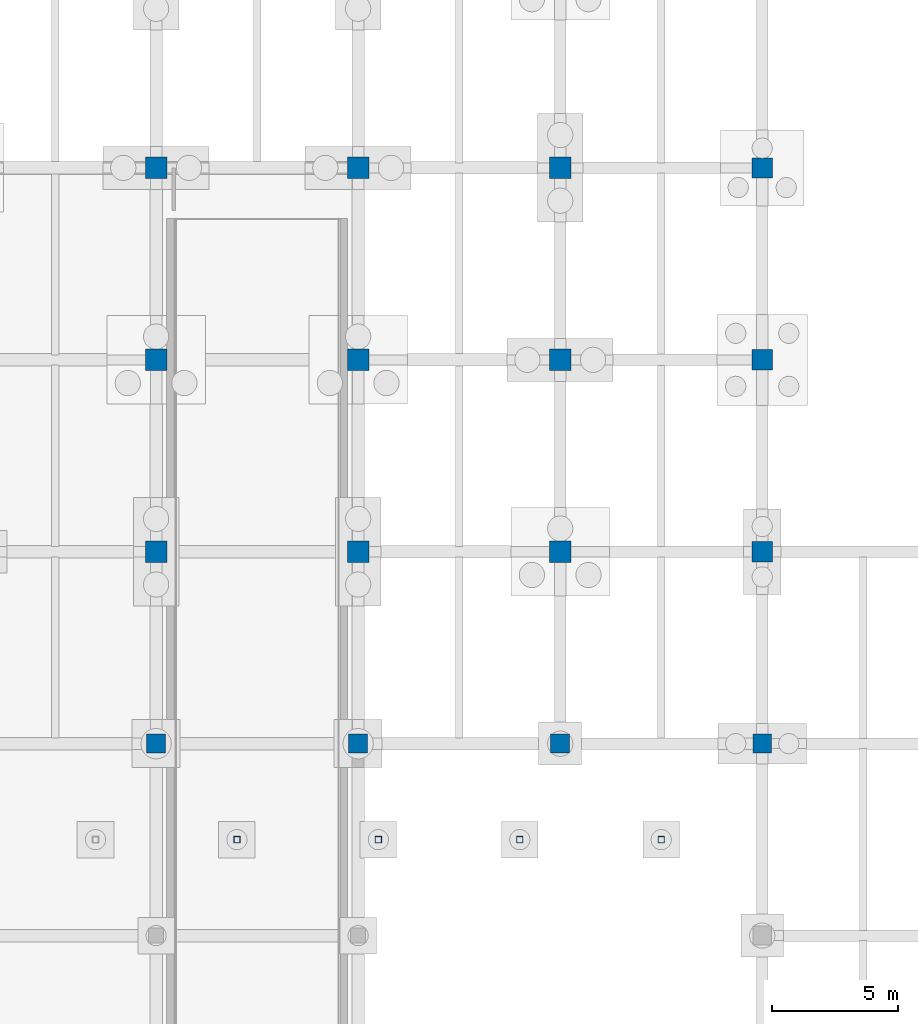
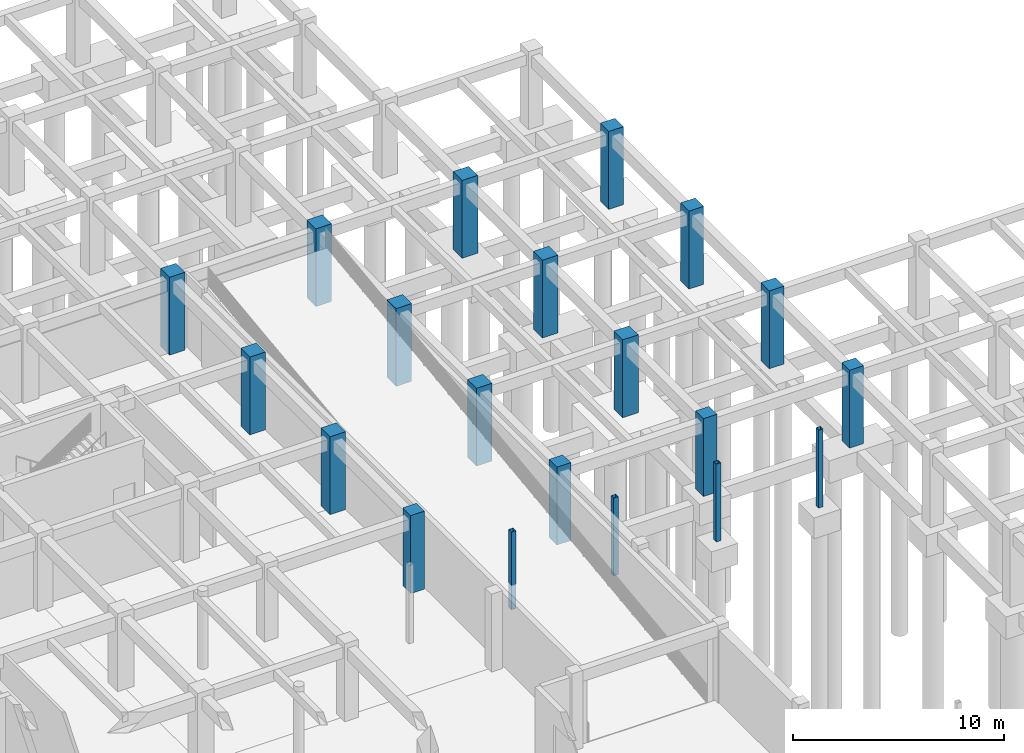
# One storey, part 25 of 49: 20 columns.
"""IFC4 building model written with IfcOpenShell, lengths in metres."""

import ifcopenshell
import ifcopenshell.guid

model = None  # the IFC model being written
_history = None  # IfcOwnerHistory: only IFC2X3 demands one
_inside = {}  # id of a spatial element -> (the spatial element, [elements in it])
_under = {}  # id of a project, library or spatial element -> (it, [spatial elements below it])
_declared = {}  # id of a project -> (the project, [libraries it declares])
_typed = {}  # id of a type object -> (the type object, [elements of that type])
_made_of = {}  # id of a material, layer set ... -> (it, [elements and type objects made of it])


def new_model(schema):
    """Start an empty IFC model of exactly this schema.

    Asked for "IFC4X3", IfcOpenShell would pick the latest addendum, in which some entities
    have other attributes; the version numbers below select the first issue.
    IFC2X3 requires an IfcOwnerHistory on every rooted entity: one is made here for all.
    """
    global model, _history
    if schema == "IFC4X3":
        model = ifcopenshell.file(schema_version=(4, 3, 0, 0))
    else:
        model = ifcopenshell.file(schema=schema)
    _inside.clear()
    _under.clear()
    _declared.clear()
    _typed.clear()
    _made_of.clear()
    _history = None
    if model.schema == "IFC2X3":
        org = make("IfcOrganization", Name="unknown")
        user = make(
            "IfcPersonAndOrganization",
            ThePerson=make("IfcPerson", FamilyName="unknown"),
            TheOrganization=org,
        )
        app = make(
            "IfcApplication",
            ApplicationDeveloper=org,
            Version="unknown",
            ApplicationFullName="unknown",
            ApplicationIdentifier="unknown",
        )
        _history = make(
            "IfcOwnerHistory",
            OwningUser=user,
            OwningApplication=app,
            ChangeAction="ADDED",
            CreationDate=0,
        )
    return model


def make(cls, **values):
    """One entity of the class cls with the attributes given. An attribute that is None is left unset."""
    return model.create_entity(
        cls, **{name: value for name, value in values.items() if value is not None}
    )


def rooted(cls, **values):
    """An entity with a GlobalId (a new one), such as an element, a storey or a relation."""
    return make(cls, GlobalId=ifcopenshell.guid.new(), OwnerHistory=_history, **values)


def si_unit(unit_type, name, prefix=None):
    """IfcSIUnit, for example si_unit("LENGTHUNIT", "METRE", prefix="MILLI")."""
    return make("IfcSIUnit", UnitType=unit_type, Prefix=prefix, Name=name)


def assignment(units):
    """IfcUnitAssignment: the units of a project."""
    return None if units is None else make("IfcUnitAssignment", Units=units)


def point(xyz):
    """IfcCartesianPoint."""
    return None if xyz is None else make("IfcCartesianPoint", Coordinates=xyz)


def direction(xyz):
    """IfcDirection."""
    return None if xyz is None else make("IfcDirection", DirectionRatios=xyz)


def frame(location, z_axis=None, x_axis=None):
    """IfcAxis2Placement3D, a coordinate frame: its origin and axes. An axis left out is left unset."""
    return make(
        "IfcAxis2Placement3D",
        Location=point(location),
        Axis=direction(z_axis),
        RefDirection=direction(x_axis),
    )


def frame_2d(location, x_axis=None):
    """IfcAxis2Placement2D, a coordinate frame in the plane: its origin and x axis."""
    return make(
        "IfcAxis2Placement2D", Location=point(location), RefDirection=direction(x_axis)
    )


def origin():
    """The frame at (0, 0, 0) with its axes left unset."""
    return frame((0.0, 0.0, 0.0))


def origin_2d():
    """The frame at (0, 0) in the plane with its x axis left unset."""
    return frame_2d((0.0, 0.0))


def place(relative_to, where):
    """IfcLocalPlacement: puts the frame where relative to a parent placement (None: the world)."""
    return make(
        "IfcLocalPlacement", PlacementRelTo=relative_to, RelativePlacement=where
    )


def context(
    kind, dimensions, precision=None, world=None, true_north=None, identifier=None
):
    """IfcGeometricRepresentationContext, for example the 3D "Model" context."""
    return make(
        "IfcGeometricRepresentationContext",
        ContextIdentifier=identifier,
        ContextType=kind,
        CoordinateSpaceDimension=dimensions,
        Precision=precision,
        WorldCoordinateSystem=world,
        TrueNorth=true_north,
    )


def subcontext(parent, identifier, kind, view, scale=None):
    """IfcGeometricRepresentationSubContext, for example "Body" below "Model"."""
    return make(
        "IfcGeometricRepresentationSubContext",
        ContextIdentifier=identifier,
        ContextType=kind,
        ParentContext=parent,
        TargetScale=scale,
        TargetView=view,
    )


def project(units=None, contexts=None):
    """IfcProject with its units and contexts."""
    return rooted(
        "IfcProject",
        Name="project",
        RepresentationContexts=contexts,
        UnitsInContext=assignment(units),
    )


def spatial(cls, under=None, at=None, **own):
    """A site, building, storey or space (cls), placed at a placement, below another one or the project."""
    s = rooted(cls, ObjectPlacement=at, **own)
    if under is not None:
        _under.setdefault(under.id(), (under, []))[1].append(s)
    return s


def profile(cls, at=None, kind="AREA", **sizes):
    """A parametric profile (cls). Its sizes go by their IFC names, for example OverallWidth=200.0."""
    return make(cls, ProfileType=kind, Position=at, **sizes)


def rectangle(**sizes):
    """IfcRectangleProfileDef."""
    return profile("IfcRectangleProfileDef", **sizes)


def hollow_rectangle(**sizes):
    """IfcRectangleHollowProfileDef."""
    return profile("IfcRectangleHollowProfileDef", **sizes)


def extrude(swept, where, along, depth):
    """IfcExtrudedAreaSolid: the profile swept, set in the frame where, extruded along a direction by depth."""
    return make(
        "IfcExtrudedAreaSolid",
        SweptArea=swept,
        Position=where,
        ExtrudedDirection=direction(along),
        Depth=depth,
    )


def shape(context_of_items, identifier, shape_type, items):
    """IfcShapeRepresentation: the items that make up one representation, for example the "Body"."""
    return make(
        "IfcShapeRepresentation",
        ContextOfItems=context_of_items,
        RepresentationIdentifier=identifier,
        RepresentationType=shape_type,
        Items=items,
    )


def material(Name=None, Category=None):
    """IfcMaterial."""
    return make("IfcMaterial", Name=Name, Category=Category)


def material_profile(
    of_material, cross_section, Name=None, Category=None, Priority=None
):
    """IfcMaterialProfile: a cross section and its material."""
    return make(
        "IfcMaterialProfile",
        Name=Name,
        Material=of_material,
        Profile=cross_section,
        Priority=Priority,
        Category=Category,
    )


def profile_set(profiles, Name=None, composite=None):
    """IfcMaterialProfileSet."""
    return make(
        "IfcMaterialProfileSet",
        Name=Name,
        MaterialProfiles=profiles,
        CompositeProfile=composite,
    )


def made_of(thing, what):
    """Note that an element or type object is made of a material, layer set ...; save() writes the relation."""
    if what is not None:
        _made_of.setdefault(what.id(), (what, []))[1].append(thing)
    return thing


def type_object(cls, material=None, **own):
    """A type object (cls), such as IfcWallType, which elements share."""
    return made_of(rooted(cls, **own), material)


def element(
    cls,
    number,
    at=None,
    inside=None,
    cuts=None,
    type_object=None,
    material=None,
    context=None,
    identifier="Body",
    shape_type=None,
    held_by="IfcProductDefinitionShape",
    body=None,
    shapes=None,
    **own,
):
    """One element of the class cls, such as IfcWall. Its Tag is "e" and its number.

    at: its placement. inside: the storey or other place that contains it. cuts: it is an
    opening in that element (IfcRelVoidsElement). A single representation is given by context,
    identifier, shape_type and body (its items); several are given by shapes. held_by: the class
    of the entity that holds the representations. save() writes the other relations.
    """
    e = rooted(cls, Tag="e%d" % number, ObjectPlacement=at, **own)
    if body is not None:
        shapes = [shape(context, identifier, shape_type, body)]
    if shapes is not None:
        e.Representation = make(held_by, Representations=shapes)
    if inside is not None:
        _inside.setdefault(inside.id(), (inside, []))[1].append(e)
    if cuts is not None:
        rooted(
            "IfcRelVoidsElement", RelatingBuildingElement=cuts, RelatedOpeningElement=e
        )
    if type_object is not None:
        _typed.setdefault(type_object.id(), (type_object, []))[1].append(e)
    return made_of(e, material)


def aggregate(whole, parts):
    """IfcRelAggregates: a whole, such as a stair, and the parts it consists of."""
    return rooted("IfcRelAggregates", RelatingObject=whole, RelatedObjects=parts)


def save(model, path):
    """Write the relations noted so far, then the file.

    IfcRelAggregates (storeys below a building ...), IfcRelContainedInSpatialStructure (elements
    in a storey), IfcRelDefinesByType, IfcRelAssociatesMaterial and IfcRelDeclares: one each for
    every whole, place, type object, material and project.
    """
    for whole, parts in _under.values():
        aggregate(whole, parts)
    for where, things in _inside.values():
        rooted(
            "IfcRelContainedInSpatialStructure",
            RelatedElements=things,
            RelatingStructure=where,
        )
    for kind, things in _typed.values():
        rooted("IfcRelDefinesByType", RelatedObjects=things, RelatingType=kind)
    for what, things in _made_of.values():
        rooted("IfcRelAssociatesMaterial", RelatedObjects=things, RelatingMaterial=what)
    for by, libraries in _declared.values():
        rooted("IfcRelDeclares", RelatingContext=by, RelatedDefinitions=libraries)
    model.write(path)


model = new_model("IFC4")

# Units and contexts
model_context = context("Model", 3, precision=1e-05, world=origin(), true_north=direction((0.0, 1.0)))
body_context = subcontext(model_context, "Body", "Model", "MODEL_VIEW")
ifc_project = project(units=[si_unit("LENGTHUNIT", "METRE"), si_unit("AREAUNIT", "SQUARE_METRE"), si_unit("VOLUMEUNIT", "CUBIC_METRE"), si_unit("PLANEANGLEUNIT", "RADIAN"), si_unit("MASSUNIT", "GRAM", prefix="KILO")], contexts=[model_context])

# Site, building, storey
site_placement = place(None, origin())
site = spatial("IfcSite", under=ifc_project, at=site_placement, CompositionType="ELEMENT")
building_placement = place(site_placement, origin())
building = spatial("IfcBuilding", under=site, at=building_placement, Name="Zantavel Square City Hall", CompositionType="ELEMENT")
storey_placement = place(building_placement, frame((0.0, 0.0, -4.5)))
storey = spatial("IfcBuildingStorey", under=building, at=storey_placement, Name="B1", CompositionType="ELEMENT", Elevation=-4.5)

# Columns
ifc_material_1 = material(Name="Concrete C40/50", Category="concrete")
ifc_material_profile_1 = material_profile(ifc_material_1, rectangle(XDim=0.75, YDim=0.75, at=origin_2d()), Name="RC 750x750")
ifc_profile_set_1 = profile_set([ifc_material_profile_1], Name="Concrete C40/50")
column_type_1 = type_object("IfcColumnType", Name="Column RC 750x750 C40/50", PredefinedType="COLUMN", material=ifc_profile_set_1)
for number, where, z_axis, x_axis, name in (
    (1, (128.0, 68.39990234375, 0.0), (0.0, 0.0, 1.0), (1.0, 0.0, 0.0), "B1 Column COL-B1-1280-0684"),
    (2, (136.0, 68.39990234375, 0.0), (0.0, 0.0, 1.0), (1.0, 0.0, 0.0), "B1 Column COL-B1-1360-0684"),
    (3, (144.0, 68.39990234375, 0.0), (0.0, 0.0, 1.0), (1.0, 0.0, 0.0), "B1 Column COL-B1-1440-0684"),
    (4, (152.0, 68.39990234375, 0.0), (0.0, 0.0, 1.0), (1.0, 0.0, 0.0), "B1 Column COL-B1-1520-0684"),
):
    element("IfcColumn", number, at=place(storey_placement, frame(where, z_axis=z_axis, x_axis=x_axis)), inside=storey, type_object=column_type_1, Name=name, PredefinedType="COLUMN", context=body_context, shape_type="SweptSolid", body=[
        extrude(rectangle(XDim=0.75, YDim=0.75, at=origin_2d()), origin(), (0.0, 0.0, 1.0), 4.5),
    ])
ifc_material_profile_2 = material_profile(ifc_material_1, rectangle(XDim=0.800048828125, YDim=0.800048828125, at=origin_2d()), Name="RC 800x800")
ifc_profile_set_2 = profile_set([ifc_material_profile_2], Name="Concrete C40/50")
column_type_2 = type_object("IfcColumnType", Name="Column RC 800x800 C40/50", PredefinedType="COLUMN", material=ifc_profile_set_2)
for number, where, z_axis, x_axis, name in (
    (5, (152.0, 76.0, 0.0), (0.0, 0.0, 1.0), (1.0, 0.0, 0.0), "B1 Column COL-B1-1520-0760"),
    (6, (152.0, 83.60009765625, 0.0), (0.0, 0.0, 1.0), (1.0, 0.0, 0.0), "B1 Column COL-B1-1520-0836"),
    (7, (152.0, 91.199951171875, 0.0), (0.0, 0.0, 1.0), (1.0, 0.0, 0.0), "B1 Column COL-B1-1520-0912"),
):
    element("IfcColumn", number, at=place(storey_placement, frame(where, z_axis=z_axis, x_axis=x_axis)), inside=storey, type_object=column_type_2, Name=name, PredefinedType="COLUMN", context=body_context, shape_type="SweptSolid", body=[
        extrude(rectangle(XDim=0.800048828125, YDim=0.800048828125, at=origin_2d()), origin(), (0.0, 0.0, 1.0), 4.5),
    ])
ifc_material_profile_3 = material_profile(ifc_material_1, rectangle(XDim=0.85009765625, YDim=0.85009765625, at=origin_2d()), Name="RC 850x850")
ifc_profile_set_3 = profile_set([ifc_material_profile_3], Name="Concrete C40/50")
column_type_3 = type_object("IfcColumnType", Name="Column RC 850x850 C40/50", PredefinedType="COLUMN", material=ifc_profile_set_3)
for number, where, z_axis, x_axis, name in (
    (8, (128.0, 76.0, 0.0), (0.0, 0.0, 1.0), (1.0, 0.0, 0.0), "B1 Column COL-B1-1280-0760"),
    (9, (128.0, 83.60009765625, 0.0), (0.0, 0.0, 1.0), (1.0, 0.0, 0.0), "B1 Column COL-B1-1280-0836"),
    (10, (128.0, 91.199951171875, 0.0), (0.0, 0.0, 1.0), (1.0, 0.0, 0.0), "B1 Column COL-B1-1280-0912"),
    (11, (136.0, 76.0, 0.0), (0.0, 0.0, 1.0), (1.0, 0.0, 0.0), "B1 Column COL-B1-1360-0760"),
    (12, (136.0, 83.60009765625, 0.0), (0.0, 0.0, 1.0), (1.0, 0.0, 0.0), "B1 Column COL-B1-1360-0836"),
    (13, (136.0, 91.199951171875, 0.0), (0.0, 0.0, 1.0), (1.0, 0.0, 0.0), "B1 Column COL-B1-1360-0912"),
    (14, (144.0, 76.0, 0.0), (0.0, 0.0, 1.0), (1.0, 0.0, 0.0), "B1 Column COL-B1-1440-0760"),
    (15, (144.0, 83.60009765625, 0.0), (0.0, 0.0, 1.0), (1.0, 0.0, 0.0), "B1 Column COL-B1-1440-0836"),
    (16, (144.0, 91.199951171875, 0.0), (0.0, 0.0, 1.0), (1.0, 0.0, 0.0), "B1 Column COL-B1-1440-0912"),
):
    element("IfcColumn", number, at=place(storey_placement, frame(where, z_axis=z_axis, x_axis=x_axis)), inside=storey, type_object=column_type_3, Name=name, PredefinedType="COLUMN", context=body_context, shape_type="SweptSolid", body=[
        extrude(rectangle(XDim=0.85009765625, YDim=0.85009765625, at=origin_2d()), origin(), (0.0, 0.0, 1.0), 4.5),
    ])
ifc_material_2 = material(Name="Steel ASTM A500 Grade B", Category="steel")
ifc_material_profile_4 = material_profile(ifc_material_2, hollow_rectangle(XDim=0.25390625, YDim=0.25390625, WallThickness=0.0126953125, at=origin_2d()), Name="HSS 254x254x12.7")
ifc_profile_set_4 = profile_set([ifc_material_profile_4], Name="Steel ASTM A500 Grade B")
column_type_4 = type_object("IfcColumnType", Name="Pavilion Steel Column HSS254", PredefinedType="COLUMN", material=ifc_profile_set_4)
for number, where, z_axis, x_axis, name in (
    (17, (131.199951171875, 64.60009765625, 0.0), (0.0, 0.0, 1.0), (1.0, 0.0, 0.0), "B1 Courtyard Skylight Column 2-N"),
    (18, (136.800048828125, 64.60009765625, 0.0), (0.0, 0.0, 1.0), (1.0, 0.0, 0.0), "B1 Courtyard Skylight Column 3-N"),
    (19, (142.39990234375, 64.60009765625, 0.0), (0.0, 0.0, 1.0), (1.0, 0.0, 0.0), "B1 Courtyard Skylight Column 4-N"),
    (20, (148.0, 64.60009765625, 0.0), (0.0, 0.0, 1.0), (1.0, 0.0, 0.0), "B1 Courtyard Skylight Column 5-N"),
):
    element("IfcColumn", number, at=place(storey_placement, frame(where, z_axis=z_axis, x_axis=x_axis)), inside=storey, type_object=column_type_4, Name=name, PredefinedType="COLUMN", context=body_context, shape_type="SweptSolid", body=[
        extrude(hollow_rectangle(XDim=0.25390625, YDim=0.25390625, WallThickness=0.0126953125, at=origin_2d()), origin(), (0.0, 0.0, 1.0), 4.5),
    ])

save(model, "model.ifc")
